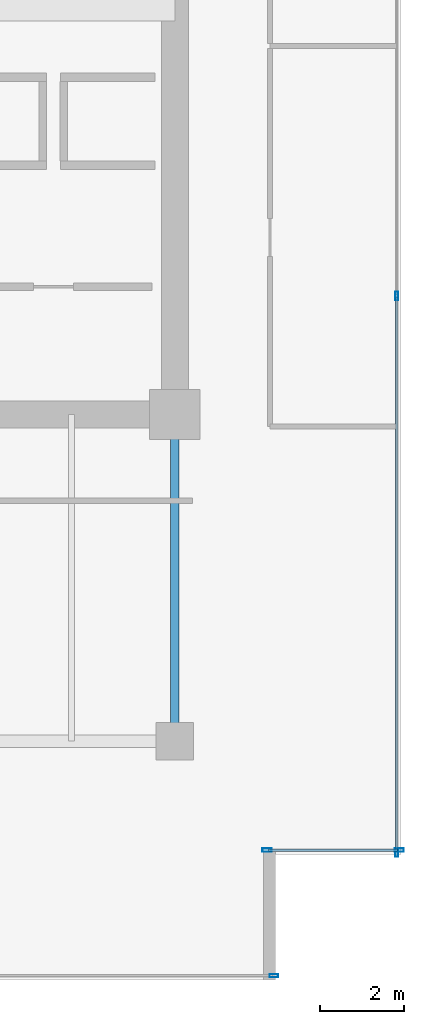
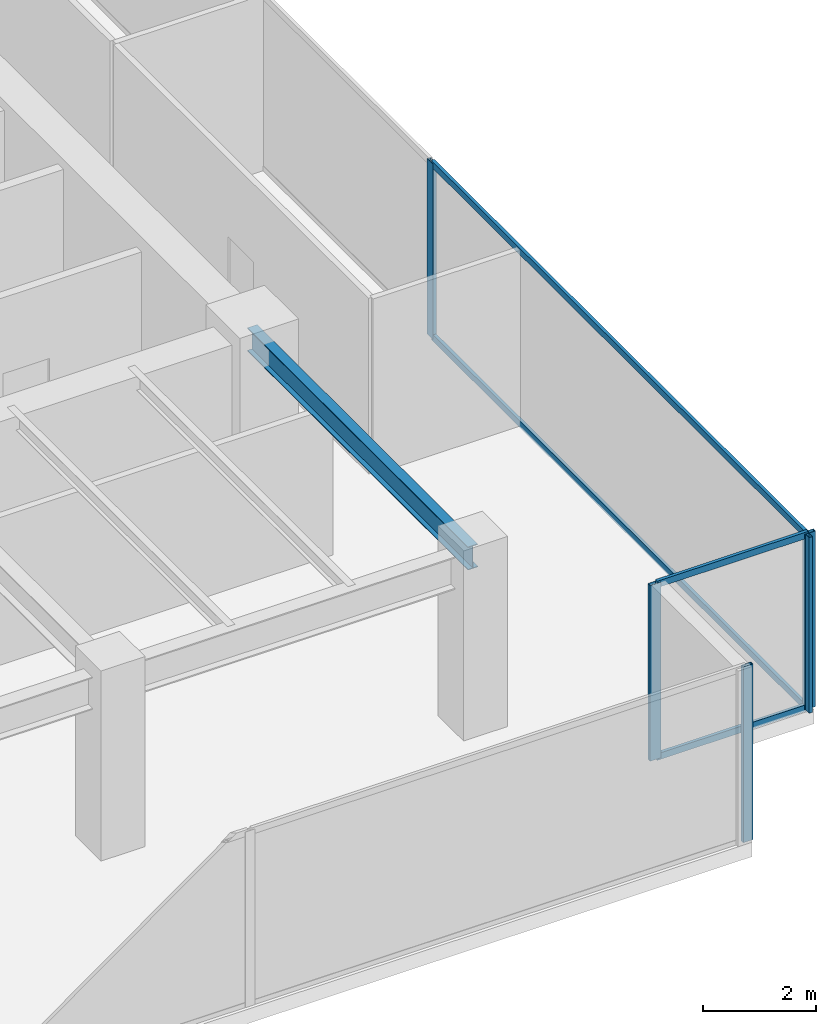
# One storey, part 21 of 30: 9 members, 1 beam, 3 elements without a shape of their own.
"""IFC4 building model written with IfcOpenShell, lengths in metres."""

from ifc_helpers import new_model, si_unit, direction, frame, origin, origin_2d, place, context, subcontext, project, spatial, hollow_rectangle, i_section, extrude, source, transform, mapped, material, layer, layer_set, material_profile, profile_set, type_object, type_shapes, element, aggregate, save


model = new_model("IFC4")

# Units and contexts
model_context = context("Model", 3, precision=1e-05, world=origin(), true_north=direction((0.0, 1.0)))
body_context = subcontext(model_context, "Body", "Model", "MODEL_VIEW")
ifc_project = project(units=[si_unit("LENGTHUNIT", "METRE"), si_unit("AREAUNIT", "SQUARE_METRE"), si_unit("VOLUMEUNIT", "CUBIC_METRE"), si_unit("PLANEANGLEUNIT", "RADIAN"), si_unit("MASSUNIT", "GRAM", prefix="KILO")], contexts=[model_context])

# Site, building, storey
site_placement = place(None, origin())
site = spatial("IfcSite", under=ifc_project, at=site_placement, CompositionType="ELEMENT")
building_placement = place(site_placement, origin())
building = spatial("IfcBuilding", under=site, at=building_placement, Name="Haelvirn Gate Laboratories", CompositionType="ELEMENT")
storey_placement = place(building_placement, frame((0.0, 0.0, 187.10009765625)))
storey = spatial("IfcBuildingStorey", under=building, at=storey_placement, Name="L45", CompositionType="ELEMENT", Elevation=187.10009765625)

# Beam
ifc_material_1 = material(Name="Steel SM355", Category="steel")
ifc_material_profile_1 = material_profile(ifc_material_1, i_section(OverallWidth=0.199951171875, OverallDepth=0.5, WebThickness=0.010009765625, FlangeThickness=0.01611328125, at=origin_2d()), Name="H-500x200x10x16")
ifc_profile_set_1 = profile_set([ifc_material_profile_1], Name="Steel SM355")
beam_type = type_object("IfcBeamType", Name="BM-SP-500", PredefinedType="SPANDREL", material=ifc_profile_set_1)
shared_shape_1 = source(origin(), body_context, "Body", "SweptSolid", [
    extrude(i_section(OverallWidth=0.199951171875, OverallDepth=0.5, WebThickness=0.010009765625, FlangeThickness=0.01611328125, at=origin_2d()), origin(), (0.0, 0.0, 1.0), 7.800048828125),
])
type_shapes(beam_type, [shared_shape_1])
beam_placement = place(storey_placement, frame((67.39990234375, 7.0, 3.539794921875), z_axis=(0.0, 1.0, 0.0), x_axis=(-1.0, 0.0, 0.0)))
element("IfcBeam", 1, at=beam_placement, inside=storey, type_object=beam_type, Name="L45 Perimeter Spandrel X67.4 (7.0-14.8)", PredefinedType="SPANDREL", context=body_context, shape_type="MappedRepresentation", body=[
    mapped(shared_shape_1, transform((0.0, 0.0, 0.0), scale=1.0)),
])

# Curtain wall, members
ifc_material_2 = material(Name="Anodised bronze unitised aluminium & triple low-E glass", Category="aluminium")
ifc_layer_1 = layer(ifc_material_2, 0.181884765625, Name="CW-SYS-5")
ifc_layer_set_1 = layer_set([ifc_layer_1], Name="Anodised bronze unitised aluminium & triple low-E glass")
curtain_wall_type_1 = type_object("IfcCurtainWallType", Name="CW-SYS-5", PredefinedType="NOTDEFINED", material=ifc_layer_set_1)
curtain_wall_1_placement = place(storey_placement, origin())
curtain_wall_1 = element("IfcCurtainWall", 2, at=curtain_wall_1_placement, inside=storey, type_object=curtain_wall_type_1, Name="L45 Unitised Curtain Wall CW-L45-P0-E06-1", PredefinedType="NOTDEFINED")
ifc_material_3 = material(Name="Extruded aluminium 6063-T6 (anodised bronze)", Category="aluminium")
ifc_material_profile_2 = material_profile(ifc_material_3, hollow_rectangle(XDim=0.06494140625, YDim=0.139892578125, WallThickness=0.00390625, at=origin_2d()), Name="CWT-140x65x4")
ifc_profile_set_2 = profile_set([ifc_material_profile_2], Name="Extruded aluminium 6063-T6 (anodised bronze)")
member_type_1 = type_object("IfcMemberType", Name="CWT-T140", PredefinedType="USERDEFINED", material=ifc_profile_set_2)
shared_shape_2 = source(origin(), body_context, "Body", "SweptSolid", [
    extrude(hollow_rectangle(XDim=0.06494140625, YDim=0.139892578125, WallThickness=0.00390625, at=origin_2d()), origin(), (0.0, 0.0, 1.0), 3.080078125),
])
member_1_placement = place(storey_placement, frame((69.639892578125, 4.39990234375, 0.032470703125), z_axis=(1.0, 0.0, 0.0), x_axis=(0.0, 1.0, 0.0)))
member_1 = element("IfcMember", 3, at=member_1_placement, type_object=member_type_1, Name="CW5 transom 1.1", ObjectType="TRANSOM", PredefinedType="USERDEFINED", context=body_context, shape_type="MappedRepresentation", body=[
    mapped(shared_shape_2, transform((0.0, 0.0, 0.0), scale=1.0)),
])
member_2_placement = place(storey_placement, frame((69.639892578125, 4.39990234375, 3.75732421875), z_axis=(1.0, 0.0, 0.0), x_axis=(0.0, 1.0, 0.0)))
member_2 = element("IfcMember", 4, at=member_2_placement, type_object=member_type_1, Name="CW5 transom 1.2", ObjectType="TRANSOM", PredefinedType="USERDEFINED", context=body_context, shape_type="MappedRepresentation", body=[
    mapped(shared_shape_2, transform((0.0, 0.0, 0.0), scale=1.0)),
])

ifc_layer_2 = layer(ifc_material_2, 0.179931640625, Name="CW-SYS-3")
ifc_layer_set_2 = layer_set([ifc_layer_2], Name="Anodised bronze unitised aluminium & triple low-E glass")
curtain_wall_type_2 = type_object("IfcCurtainWallType", Name="CW-SYS-3", PredefinedType="NOTDEFINED", material=ifc_layer_set_2)
curtain_wall_2_placement = place(storey_placement, origin())
curtain_wall_2 = element("IfcCurtainWall", 5, at=curtain_wall_2_placement, inside=storey, type_object=curtain_wall_type_2, Name="L45 Unitised Curtain Wall CW-L45-P0-E07", PredefinedType="NOTDEFINED")
shared_shape_3 = source(origin(), body_context, "Body", "SweptSolid", [
    extrude(hollow_rectangle(XDim=0.06494140625, YDim=0.139892578125, WallThickness=0.00390625, at=origin_2d()), origin(), (0.0, 0.0, 1.0), 13.220947265625),
])
type_shapes(member_type_1, [shared_shape_2, shared_shape_3])
member_3_placement = place(storey_placement, frame((72.699951171875, 4.375, 0.032470703125), z_axis=(0.0, 1.0, 0.0), x_axis=(-1.0, 0.0, 0.0)))
member_3 = element("IfcMember", 6, at=member_3_placement, type_object=member_type_1, Name="CW3 transom 1.1", ObjectType="TRANSOM", PredefinedType="USERDEFINED", context=body_context, shape_type="MappedRepresentation", body=[
    mapped(shared_shape_3, transform((0.0, 0.0, 0.0), scale=1.0)),
])
member_4_placement = place(storey_placement, frame((72.699951171875, 4.375, 3.75732421875), z_axis=(0.0, 1.0, 0.0), x_axis=(-1.0, 0.0, 0.0)))
member_4 = element("IfcMember", 7, at=member_4_placement, type_object=member_type_1, Name="CW3 transom 1.2", ObjectType="TRANSOM", PredefinedType="USERDEFINED", context=body_context, shape_type="MappedRepresentation", body=[
    mapped(shared_shape_3, transform((0.0, 0.0, 0.0), scale=1.0)),
])

# Curtain wall, member
curtain_wall_3_placement = place(storey_placement, origin())
curtain_wall_3 = element("IfcCurtainWall", 8, at=curtain_wall_3_placement, inside=storey, type_object=curtain_wall_type_2, Name="L45 Unitised Curtain Wall CW-L45-P0-E04-1", PredefinedType="NOTDEFINED")
ifc_material_profile_3 = material_profile(ifc_material_3, hollow_rectangle(XDim=0.074951171875, YDim=0.199951171875, WallThickness=0.0048828125, at=origin_2d()), Name="CWM-200x75x5")
ifc_profile_set_3 = profile_set([ifc_material_profile_3], Name="Extruded aluminium 6063-T6 (anodised bronze)")
member_type_2 = type_object("IfcMemberType", Name="CWM-T200", PredefinedType="MULLION", material=ifc_profile_set_3)
shared_shape_4 = source(origin(), body_context, "Body", "SweptSolid", [
    extrude(hollow_rectangle(XDim=0.074951171875, YDim=0.199951171875, WallThickness=0.0048828125, at=origin_2d()), origin(), (0.0, 0.0, 1.0), 3.789794921875),
])
type_shapes(member_type_2, [shared_shape_4])
member_5_placement = place(storey_placement, frame((69.762451171875, 1.39990234375, 0.0), z_axis=(0.0, 0.0, 1.0), x_axis=(0.0, 1.0, 0.0)))
member_5 = element("IfcMember", 9, at=member_5_placement, type_object=member_type_2, Name="CW3 mullion 3", PredefinedType="MULLION", context=body_context, shape_type="MappedRepresentation", body=[
    mapped(shared_shape_4, transform((0.0, 0.0, 0.0), scale=1.0)),
])
aggregate(curtain_wall_3, [member_5])

# Member
member_6_placement = place(storey_placement, frame((72.699951171875, 4.33740234375, 0.0), z_axis=(0.0, 0.0, 1.0), x_axis=(-1.0, 0.0, 0.0)))
member_6 = element("IfcMember", 10, at=member_6_placement, type_object=member_type_2, Name="CW3 mullion 1", PredefinedType="MULLION", context=body_context, shape_type="MappedRepresentation", body=[
    mapped(shared_shape_4, transform((0.0, 0.0, 0.0), scale=1.0)),
])

member_7_placement = place(storey_placement, frame((72.699951171875, 17.63330078125, 0.0), z_axis=(0.0, 0.0, 1.0), x_axis=(-1.0, 0.0, 0.0)))
member_7 = element("IfcMember", 11, at=member_7_placement, type_object=member_type_2, Name="CW3 mullion 2", PredefinedType="MULLION", context=body_context, shape_type="MappedRepresentation", body=[
    mapped(shared_shape_4, transform((0.0, 0.0, 0.0), scale=1.0)),
])

aggregate(curtain_wall_2, [member_6, member_7, member_3, member_4])

ifc_material_profile_4 = material_profile(ifc_material_3, hollow_rectangle(XDim=0.080078125, YDim=0.219970703125, WallThickness=0.006103515625, at=origin_2d()), Name="CWM-220x80x6")
ifc_profile_set_4 = profile_set([ifc_material_profile_4], Name="Extruded aluminium 6063-T6 (anodised bronze)")
member_type_3 = type_object("IfcMemberType", Name="CWM-T220", PredefinedType="MULLION", material=ifc_profile_set_4)
shared_shape_5 = source(origin(), body_context, "Body", "SweptSolid", [
    extrude(hollow_rectangle(XDim=0.080078125, YDim=0.219970703125, WallThickness=0.006103515625, at=origin_2d()), origin(), (0.0, 0.0, 1.0), 3.789794921875),
])
type_shapes(member_type_3, [shared_shape_5])
member_8_placement = place(storey_placement, frame((69.60009765625, 4.39990234375, 0.0), z_axis=(0.0, 0.0, 1.0), x_axis=(0.0, 1.0, 0.0)))
member_8 = element("IfcMember", 12, at=member_8_placement, type_object=member_type_3, Name="CW5 mullion 1", PredefinedType="MULLION", context=body_context, shape_type="MappedRepresentation", body=[
    mapped(shared_shape_5, transform((0.0, 0.0, 0.0), scale=1.0)),
])

member_9_placement = place(storey_placement, frame((72.760009765625, 4.39990234375, 0.0), z_axis=(0.0, 0.0, 1.0), x_axis=(0.0, 1.0, 0.0)))
member_9 = element("IfcMember", 13, at=member_9_placement, type_object=member_type_3, Name="CW5 mullion 2", PredefinedType="MULLION", context=body_context, shape_type="MappedRepresentation", body=[
    mapped(shared_shape_5, transform((0.0, 0.0, 0.0), scale=1.0)),
])

aggregate(curtain_wall_1, [member_8, member_9, member_1, member_2])

save(model, "model.ifc")
